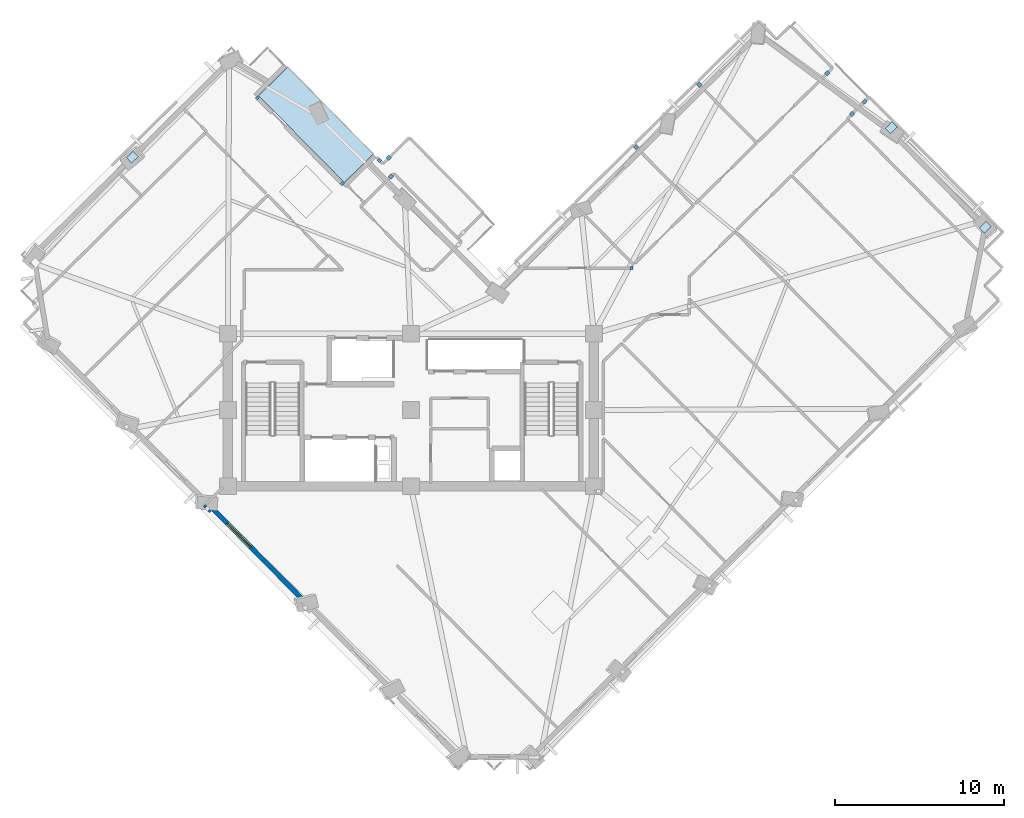
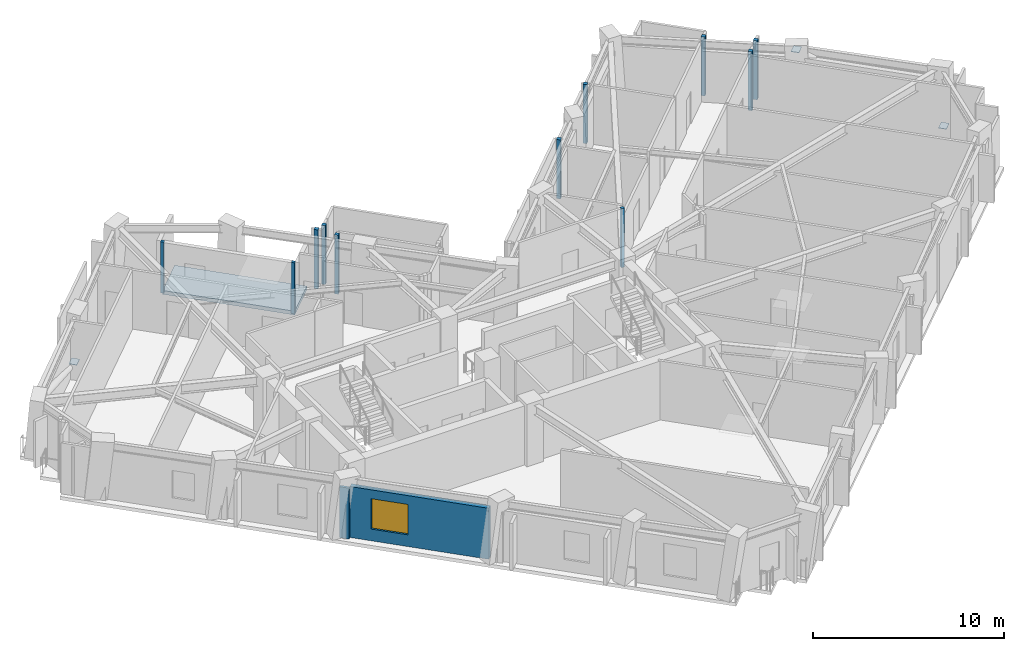
# One storey, part 3 of 11: 14 plates, 2 walls, 1 slab, 1 window, 1 opening.
"""IFC4 building model written with IfcOpenShell, lengths in metres."""

from ifc_helpers import new_model, si_unit, direction, frame, frame_2d, origin, origin_2d, place, context, subcontext, project, spatial, polyline, rectangle, outline, extrude, material, layer, layer_set, type_object, element, fill, save


model = new_model("IFC4")

# Units and contexts
model_context = context("Model", 3, precision=1e-05, world=origin(), true_north=direction((0.0, 1.0)))
body_context = subcontext(model_context, "Body", "Model", "MODEL_VIEW")
ifc_project = project(units=[si_unit("LENGTHUNIT", "METRE"), si_unit("AREAUNIT", "SQUARE_METRE"), si_unit("VOLUMEUNIT", "CUBIC_METRE"), si_unit("PLANEANGLEUNIT", "RADIAN"), si_unit("MASSUNIT", "GRAM", prefix="KILO")], contexts=[model_context])

# Site, building, storey
site_placement = place(None, origin())
site = spatial("IfcSite", under=ifc_project, at=site_placement, CompositionType="ELEMENT")
building_placement = place(site_placement, origin())
building = spatial("IfcBuilding", under=site, at=building_placement, Name="Gaonmaruhae Medical Tower", CompositionType="ELEMENT")
storey_placement = place(building_placement, frame((0.0, 0.0, 215.199951171875)))
storey = spatial("IfcBuildingStorey", under=building, at=storey_placement, Name="L51", CompositionType="ELEMENT", Elevation=215.199951171875)

# Plates
ifc_material_1 = material(Name="Steel HSA650 (650 MPa)", Category="steel")
ifc_layer_1 = layer(ifc_material_1, 0.028076171875)
ifc_layer_set_1 = layer_set([ifc_layer_1], Name="Steel HSA650 (650 MPa)")
plate_type_1 = type_object("IfcPlateType", Name="GP-02 Tube Brace End Cap Gusset Plate", PredefinedType="USERDEFINED", material=ifc_layer_set_1)
for number, where, z_axis, x_axis, name in (
    (1, (58.6923828125, 23.091064453125, 0.23583984375), (0.0, 0.0, 1.0), (0.711413030818, 0.702774145499, 0.0), "L51 Gusset Cap Plate PLT-L51-PBR-E01A"),
    (2, (53.144287109375, 28.964599609375, 3.51611328125), (0.0, 0.0, 1.0), (0.699663340513, 0.714472679633, 0.0), "L51 Gusset Cap Plate PLT-L51-PBR-E01B"),
    (3, (8.37060546875, 27.216796875, 0.23583984375), (0.0, 0.0, 1.0), (0.711413030818, 0.702774145499, 0.0), "L51 Gusset Cap Plate PLT-L51-PBR-N02A"),
):
    element("IfcPlate", number, at=place(storey_placement, frame(where, z_axis=z_axis, x_axis=x_axis)), inside=storey, type_object=plate_type_1, Name=name, ObjectType="GUSSET_PLATE", PredefinedType="USERDEFINED", context=body_context, shape_type="SweptSolid", body=[
        extrude(rectangle(XDim=0.56005859375, YDim=0.43994140625, at=origin_2d()), origin(), (0.0, 0.0, 1.0), 0.028076171875),
    ])
ifc_material_2 = material(Name="Anodised aluminium 6063-T6", Category="aluminium")
ifc_layer_2 = layer(ifc_material_2, 0.011962890625)
ifc_layer_set_2 = layer_set([ifc_layer_2], Name="Anodised aluminium 6063-T6")
plate_type_2 = type_object("IfcPlateType", Name="PP-01 Interior Partition Corner Stiffener Plate", PredefinedType="SHEET", material=ifc_layer_set_2)
for number, where, z_axis, x_axis, name in (
    (4, (15.74609375, 30.7216796875, 0.0), (0.0, 0.0, 1.0), (0.702774145499, -0.711413030818, 0.0), "L51 Partition End Jamb Post Plate PLT-L51-ENDP-TERB-0"),
    (5, (20.749755859375, 25.65625, 0.0), (0.0, 0.0, 1.0), (0.702774145499, -0.711413030818, 0.0), "L51 Partition End Jamb Post Plate PLT-L51-ENDP-TERB-1"),
):
    element("IfcPlate", number, at=place(storey_placement, frame(where, z_axis=z_axis, x_axis=x_axis)), inside=storey, type_object=plate_type_2, Name=name, PredefinedType="SHEET", context=body_context, shape_type="SweptSolid", body=[
        extrude(rectangle(XDim=0.179931640625, YDim=0.179931640625, at=origin_2d()), origin(), (0.0, 0.0, 1.0), 3.264892578125),
    ])
plate_placement = place(storey_placement, frame((37.819091796875, 20.679931640625, 0.0), z_axis=(0.0, 0.0, 1.0), x_axis=(-1.0, 0.0, 0.0)))
element("IfcPlate", 6, at=plate_placement, inside=storey, type_object=plate_type_2, Name="L51 Partition End Jamb Post Plate PLT-L51-ENDP-PW059-0", PredefinedType="SHEET", context=body_context, shape_type="SweptSolid", body=[
    extrude(rectangle(XDim=0.179931640625, YDim=0.179931640625, at=origin_2d()), origin(), (0.0, 0.0, 1.0), 3.780029296875),
])
for number, where, z_axis, x_axis, name in (
    (7, (38.093994140625, 27.80908203125, 0.0), (0.0, 0.0, 1.0), (0.702500930705, -0.711682824268, 0.0), "L51 Partition Corner Stiffener Plate PLT-L51-JGP-PW063"),
    (8, (41.822021484375, 31.491943359375, 0.0), (0.0, 0.0, 1.0), (0.702500930705, -0.711682824268, 0.0), "L51 Partition Corner Stiffener Plate PLT-L51-JGP-PW067"),
    (9, (49.37158203125, 32.1708984375, 0.0), (0.0, 0.0, 1.0), (-0.711081777326, -0.703109312949, 0.0), "L51 Partition Corner Stiffener Plate PLT-L51-JGP-PW071"),
    (10, (23.632568359375, 26.07861328125, 0.0), (0.0, 0.0, 1.0), (0.711216751518, 0.702972782091, 0.0), "L51 Partition Corner Stiffener Plate PLT-L51-JGP-PW076"),
    (11, (22.952392578125, 27.041015625, 0.0), (0.0, 0.0, 1.0), (0.702575454104, -0.71160925464, 0.0), "L51 Partition Corner Stiffener Plate PLT-L51-JGP-PW093"),
    (12, (23.491943359375, 27.1845703125, 0.0), (0.0, 0.0, 1.0), (0.711731866351, 0.702451244159, 0.0), "L51 Partition Corner Stiffener Plate PLT-L51-JGP-PW094"),
    (13, (50.840576171875, 29.7705078125, 0.0), (0.0, 0.0, 1.0), (0.710909954085, 0.703283042013, 0.0), "L51 Partition Corner Stiffener Plate PLT-L51-JGP-PW102"),
    (14, (51.575927734375, 30.49755859375, 0.0), (0.0, 0.0, 1.0), (0.711388498939, 0.702798978071, 0.0), "L51 Partition Corner Stiffener Plate PLT-L51-JGP-PW103"),
):
    element("IfcPlate", number, at=place(storey_placement, frame(where, z_axis=z_axis, x_axis=x_axis)), inside=storey, type_object=plate_type_2, Name=name, PredefinedType="SHEET", context=body_context, shape_type="SweptSolid", body=[
        extrude(rectangle(XDim=0.219970703125, YDim=0.219970703125, at=origin_2d()), origin(), (0.0, 0.0, 1.0), 3.780029296875),
    ])

# Slab
ifc_material_3 = material(Name="Concrete C40/50", Category="concrete")
ifc_layer_3 = layer(ifc_material_3, 0.239990234375)
ifc_layer_set_3 = layer_set([ifc_layer_3], Name="Concrete C40/50")
slab_type = type_object("IfcSlabType", Name="TS-240 Sky Garden & Recovery Terrace Slab", PredefinedType="FLOOR", material=ifc_layer_set_3)
slab_placement = place(storey_placement, frame((0.0, 0.0, -0.239990234375)))
element("IfcSlab", 15, at=slab_placement, inside=storey, type_object=slab_type, Name="L51 Outdoor Recovery Terrace Slab", PredefinedType="FLOOR", context=body_context, shape_type="SweptSolid", body=[
    extrude(outline(polyline([(20.87744140625, 25.726318359375), (22.5849609375, 27.412841796875), (17.52490234375, 32.53515625), (15.817626953125, 30.848388671875), (20.87744140625, 25.726318359375)])), origin(), (0.0, 0.0, 1.0), 0.239990234375),
])

# Wall, opening, window
ifc_material_4 = material(Name="Precast concrete C45/55", Category="concrete")
ifc_layer_4 = layer(ifc_material_4, 0.280029296875)
ifc_layer_set_4 = layer_set([ifc_layer_4], Name="Precast concrete C45/55")
wall_type_1 = type_object("IfcWallType", Name="EW-280 Upper Precast Masonry-Frame Facade Wall", PredefinedType="SOLIDWALL", material=ifc_layer_set_4)
wall_1_placement = place(storey_placement, frame((18.452392578125, 1.07421875, 0.0), z_axis=(0.0, 0.0, 1.0), x_axis=(-0.702781594426, 0.711405672269, 0.0)))
wall_1 = element("IfcWall", 16, at=wall_1_placement, inside=storey, type_object=wall_type_1, Name="L51 Precast Masonry-Frame Wall W03-W04", PredefinedType="SOLIDWALL", context=body_context, shape_type="SweptSolid", body=[
    extrude(rectangle(XDim=7.55859375, YDim=0.280029296875, at=frame_2d((3.779296875, 0.0))), origin(), (0.0, 0.0, 1.0), 3.26513671875),
])
opening_placement = place(wall_1_placement, frame((4.406005859375, 0.0, 0.75)))
opening = element("IfcOpeningElement", 17, at=opening_placement, cuts=wall_1, Name="Opening WN-02", PredefinedType="OPENING", context=body_context, shape_type="SweptSolid", body=[
    extrude(rectangle(XDim=2.0, YDim=1.949951171875, at=frame_2d((1.0, 0.97509765625))), frame((0.0, 0.14990234375, 0.0), z_axis=(0.0, -1.0, 0.0), x_axis=(1.0, 0.0, 0.0)), (0.0, 0.0, 1.0), 0.300048828125),
])
ifc_material_5 = material(Name="Anodised aluminium and Low-E double glazing", Category="aluminium")
window_type = type_object("IfcWindowType", Name="WN-02 Double-Bed Ward Punched Window 2000x1950", PartitioningType="SINGLE_PANEL", PredefinedType="WINDOW", material=ifc_material_5)
window_placement = place(opening_placement, origin())
window = element("IfcWindow", 18, at=window_placement, inside=storey, type_object=window_type, Name="L51 Modular Facade Window W03", OverallHeight=1.949951171875, OverallWidth=2.0, PartitioningType="SINGLE_PANEL", PredefinedType="WINDOW", context=body_context, shape_type="SweptSolid", body=[
    extrude(rectangle(XDim=2.0, YDim=1.949951171875, at=frame_2d((1.0, 0.97509765625))), frame((0.0, 0.030029296875, 0.0), z_axis=(0.0, -1.0, 0.0), x_axis=(1.0, 0.0, 0.0)), (0.0, 0.0, 1.0), 0.06005859375),
])
fill(opening, window)

# Wall
ifc_material_6 = material(Name="Gypsum board partition", Category="gypsum")
ifc_layer_5 = layer(ifc_material_6, 0.14990234375)
ifc_layer_set_5 = layer_set([ifc_layer_5], Name="Gypsum board partition")
wall_type_2 = type_object("IfcWallType", Name="PW-150 Rated Clinical Corridor Partition", PredefinedType="PARTITIONING", material=ifc_layer_set_5)
wall_2_placement = place(storey_placement, frame((12.97705078125, 6.2900390625, 0.0), z_axis=(0.0, 0.0, 1.0), x_axis=(-0.703375424574, 0.71081855076, 0.0)))
element("IfcWall", 19, at=wall_2_placement, inside=storey, type_object=wall_type_2, Name="L51 Interior Partition L51-WOF11-40", PredefinedType="PARTITIONING", context=body_context, shape_type="SweptSolid", body=[
    extrude(rectangle(XDim=0.52490234375, YDim=0.14990234375, at=frame_2d((0.262451171875, 0.0))), origin(), (0.0, 0.0, 1.0), 3.26513671875),
])

save(model, "model.ifc")
